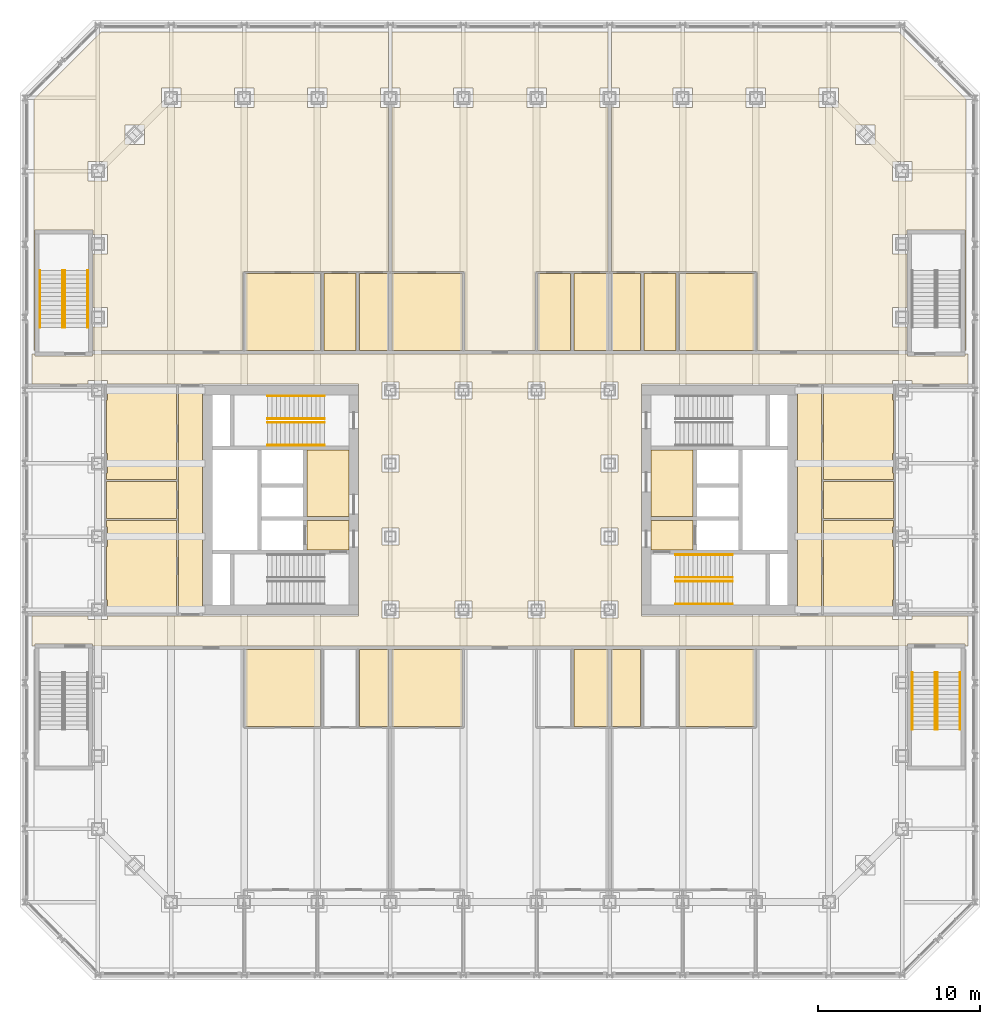
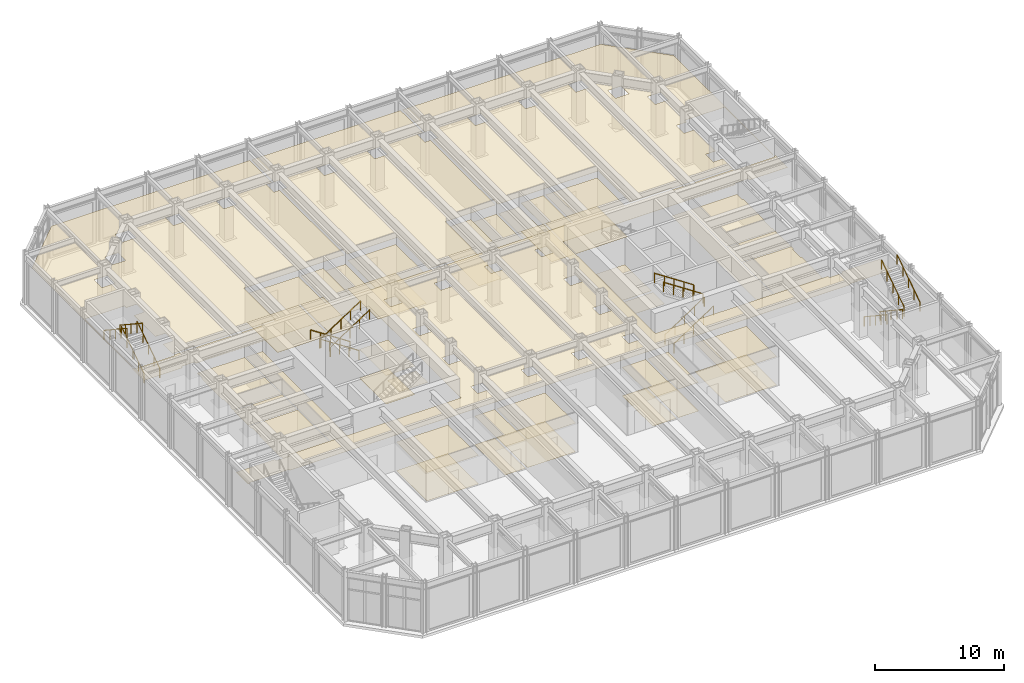
# One storey, part 18 of 19: 16 railings, 5 coverings.
"""IFC4 building model written with IfcOpenShell, lengths in metres."""

from ifc_helpers import new_model, si_unit, direction, frame, origin, origin_2d, place, context, subcontext, project, spatial, line, indexed_curve, circle, outline, extrude, material, layer, layer_set, type_object, element, save


model = new_model("IFC4")

# Units and contexts
model_context = context("Model", 3, precision=1e-05, world=origin(), true_north=direction((0.0, 1.0)))
body_context = subcontext(model_context, "Body", "Model", "MODEL_VIEW")
ifc_project = project(units=[si_unit("LENGTHUNIT", "METRE"), si_unit("AREAUNIT", "SQUARE_METRE"), si_unit("VOLUMEUNIT", "CUBIC_METRE"), si_unit("PLANEANGLEUNIT", "RADIAN"), si_unit("MASSUNIT", "GRAM", prefix="KILO")], contexts=[model_context])

# Site, building, storey
site_placement = place(None, origin())
site = spatial("IfcSite", under=ifc_project, at=site_placement, CompositionType="ELEMENT")
building_placement = place(site_placement, origin())
building = spatial("IfcBuilding", under=site, at=building_placement, Name="Msasa Ring Tower", CompositionType="ELEMENT")
storey_placement = place(building_placement, frame((0.0, 0.0, 6.0)))
storey = spatial("IfcBuildingStorey", under=building, at=storey_placement, Name="L01", CompositionType="ELEMENT", Elevation=6.0)

# Coverings
ifc_material_1 = material(Name="Gypsum plasterboard on a steel suspension grid", Category="steel")
ifc_layer_1 = layer(ifc_material_1, 0.014892578125)
ifc_layer_set_1 = layer_set([ifc_layer_1], Name="C1 SUSPENDED PLASTERBOARD CEILING 15")
covering_type_1 = type_object("IfcCoveringType", Name="C1 SUSPENDED PLASTERBOARD CEILING 15", PredefinedType="CEILING", material=ifc_layer_set_1)
covering_1_placement = place(storey_placement, frame((0.0, 0.0, 2.39990234375)))
element("IfcCovering", 1, at=covering_1_placement, inside=storey, type_object=covering_type_1, Name="Suspended Plasterboard Ceiling 15 circulation L01", PredefinedType="CEILING", context=body_context, shape_type="SweptSolid", body=[
    extrude(outline(indexed_curve([(-9.300537109375, -1.275390625), (-9.300537109375, -3.074462890625), (-11.87451171875, -3.074462890625), (-11.87451171875, -1.275390625)], segments=[line(1, 2, 3, 4, 1)], self_intersect=False)), origin(), (0.0, 0.0, 1.0), 0.01513671875),
    extrude(outline(indexed_curve([(11.87451171875, -3.074462890625), (9.300537109375, -3.074462890625), (9.300537109375, -1.275390625), (11.87451171875, -1.275390625)], segments=[line(1, 2, 3, 4, 1)], self_intersect=False)), origin(), (0.0, 0.0, 1.0), 0.01513671875),
    extrude(outline(indexed_curve([(11.87451171875, -1.0244140625), (9.300537109375, -1.0244140625), (9.300537109375, 3.074462890625), (11.87451171875, 3.074462890625)], segments=[line(1, 2, 3, 4, 1)], self_intersect=False)), origin(), (0.0, 0.0, 1.0), 0.01513671875),
])
covering_2_placement = place(storey_placement, frame((0.0, 0.0, 3.199951171875)))
element("IfcCovering", 2, at=covering_2_placement, inside=storey, type_object=covering_type_1, Name="Suspended Plasterboard Ceiling 15 public rooms L01", PredefinedType="CEILING", context=body_context, shape_type="SweptSolid", body=[
    extrude(outline(indexed_curve([(-8.699462890625, 7.150390625), (-24.1494140625, 7.150390625), (-24.1494140625, 7.3505859375), (-25.3505859375, 7.3505859375), (-25.3505859375, 7.150390625), (-28.799560546875, 7.150390625), (-28.799560546875, 8.99951171875), (-28.625, 8.99951171875), (-28.625, 8.87451171875), (-25.074951171875, 8.87451171875), (-25.074951171875, 8.99951171875), (25.074951171875, 8.99951171875), (25.074951171875, 8.87451171875), (28.625, 8.87451171875), (28.625, 8.99951171875), (28.799560546875, 8.99951171875), (28.799560546875, 7.150390625), (25.3505859375, 7.150390625), (25.3505859375, 7.3505859375), (24.1494140625, 7.3505859375), (24.1494140625, 7.150390625), (8.699462890625, 7.150390625), (8.699462890625, -7.150390625), (24.1494140625, -7.150390625), (24.1494140625, -7.3505859375), (25.3505859375, -7.3505859375), (25.3505859375, -7.150390625), (28.799560546875, -7.150390625), (28.799560546875, -8.99951171875), (28.625, -8.99951171875), (28.625, -8.87451171875), (25.074951171875, -8.87451171875), (25.074951171875, -8.99951171875), (-25.074951171875, -8.99951171875), (-25.074951171875, -8.87451171875), (-28.625, -8.87451171875), (-28.625, -8.99951171875), (-28.799560546875, -8.99951171875), (-28.799560546875, -7.150390625), (-25.3505859375, -7.150390625), (-25.3505859375, -7.3505859375), (-24.1494140625, -7.3505859375), (-24.1494140625, -7.150390625), (-8.699462890625, -7.150390625)], segments=[line(1, 2, 3, 4, 5, 6, 7, 8, 9, 10, 11, 12, 13, 14, 15, 16, 17, 18, 19, 20, 21, 22, 23, 24, 25, 26, 27, 28, 29, 30, 31, 32, 33, 34, 35, 36, 37, 38, 39, 40, 41, 42, 43, 44, 1)], self_intersect=False), holes=[indexed_curve([(-7.275390625, -7.275390625), (-6.224609375, -7.275390625), (-6.224609375, -6.224609375), (-7.275390625, -6.224609375)], segments=[line(1, 2, 3, 4, 1)], self_intersect=False), indexed_curve([(-7.275390625, 1.724609375), (-6.224609375, 1.724609375), (-6.224609375, 2.775390625), (-7.275390625, 2.775390625)], segments=[line(1, 2, 3, 4, 1)], self_intersect=False), indexed_curve([(-7.275390625, 6.224609375), (-6.224609375, 6.224609375), (-6.224609375, 7.275390625), (-7.275390625, 7.275390625)], segments=[line(1, 2, 3, 4, 1)], self_intersect=False), indexed_curve([(-1.724609375, -7.275390625), (-1.724609375, -6.224609375), (-2.775390625, -6.224609375), (-2.775390625, -7.275390625)], segments=[line(1, 2, 3, 4, 1)], self_intersect=False), indexed_curve([(1.724609375, -7.275390625), (2.775390625, -7.275390625), (2.775390625, -6.224609375), (1.724609375, -6.224609375)], segments=[line(1, 2, 3, 4, 1)], self_intersect=False), indexed_curve([(-7.275390625, -2.775390625), (-6.224609375, -2.775390625), (-6.224609375, -1.724609375), (-7.275390625, -1.724609375)], segments=[line(1, 2, 3, 4, 1)], self_intersect=False), indexed_curve([(7.275390625, -2.775390625), (7.275390625, -1.724609375), (6.224609375, -1.724609375), (6.224609375, -2.775390625)], segments=[line(1, 2, 3, 4, 1)], self_intersect=False), indexed_curve([(6.224609375, 1.724609375), (7.275390625, 1.724609375), (7.275390625, 2.775390625), (6.224609375, 2.775390625)], segments=[line(1, 2, 3, 4, 1)], self_intersect=False), indexed_curve([(-2.775390625, 6.224609375), (-1.724609375, 6.224609375), (-1.724609375, 7.275390625), (-2.775390625, 7.275390625)], segments=[line(1, 2, 3, 4, 1)], self_intersect=False), indexed_curve([(2.775390625, 6.224609375), (2.775390625, 7.275390625), (1.724609375, 7.275390625), (1.724609375, 6.224609375)], segments=[line(1, 2, 3, 4, 1)], self_intersect=False), indexed_curve([(7.275390625, 6.224609375), (7.275390625, 7.275390625), (6.224609375, 7.275390625), (6.224609375, 6.224609375)], segments=[line(1, 2, 3, 4, 1)], self_intersect=False), indexed_curve([(7.275390625, -7.275390625), (7.275390625, -6.224609375), (6.224609375, -6.224609375), (6.224609375, -7.275390625)], segments=[line(1, 2, 3, 4, 1)], self_intersect=False)]), origin(), (0.0, 0.0, 1.0), 0.01513671875),
    extrude(outline(indexed_curve([(-25.069580078125, 9.200439453125), (-25.069580078125, 10.6494140625), (-24.1494140625, 10.6494140625), (-24.1494140625, 11.8505859375), (-25.069580078125, 11.8505859375), (-25.069580078125, 15.1494140625), (-24.1494140625, 15.1494140625), (-24.1494140625, 16.3505859375), (-25.069580078125, 16.3505859375), (-25.069580078125, 16.630615234375), (-28.630615234375, 16.630615234375), (-28.630615234375, 9.200439453125), (-28.699462890625, 9.200439453125), (-28.699462890625, 24.663330078125), (-24.5634765625, 28.799560546875), (-6.8505859375, 28.799560546875), (-6.8505859375, 25.3505859375), (-7.3505859375, 25.3505859375), (-7.3505859375, 24.1494140625), (-6.8505859375, 24.1494140625), (-6.8505859375, 14.060546875), (-15.8505859375, 14.060546875), (-15.8505859375, 9.200439453125)], segments=[line(1, 2, 3, 4, 5, 6, 7, 8, 9, 10, 11, 12, 13, 14, 15, 16, 17, 18, 19, 20, 21, 22, 23, 1)], self_intersect=False), holes=[indexed_curve([(-24.1494140625, 19.6494140625), (-24.1494140625, 20.8505859375), (-25.3505859375, 20.8505859375), (-25.3505859375, 19.6494140625)], segments=[line(1, 2, 3, 4, 1)], self_intersect=False), indexed_curve([(-23.1005859375, 21.8994140625), (-21.8994140625, 21.8994140625), (-21.8994140625, 23.1005859375), (-23.1005859375, 23.1005859375)], segments=[line(1, 2, 3, 4, 1)], self_intersect=False), indexed_curve([(-20.8505859375, 24.1494140625), (-19.6494140625, 24.1494140625), (-19.6494140625, 25.3505859375), (-20.8505859375, 25.3505859375)], segments=[line(1, 2, 3, 4, 1)], self_intersect=False), indexed_curve([(-15.1494140625, 24.1494140625), (-15.1494140625, 25.3505859375), (-16.3505859375, 25.3505859375), (-16.3505859375, 24.1494140625)], segments=[line(1, 2, 3, 4, 1)], self_intersect=False), indexed_curve([(-11.8505859375, 24.1494140625), (-10.6494140625, 24.1494140625), (-10.6494140625, 25.3505859375), (-11.8505859375, 25.3505859375)], segments=[line(1, 2, 3, 4, 1)], self_intersect=False)]), origin(), (0.0, 0.0, 1.0), 0.01513671875),
    extrude(outline(indexed_curve([(-2.1494140625, 9.200439453125), (-2.1494140625, 14.060546875), (-6.6494140625, 14.060546875), (-6.6494140625, 24.1494140625), (-6.1494140625, 24.1494140625), (-6.1494140625, 25.3505859375), (-6.6494140625, 25.3505859375), (-6.6494140625, 28.799560546875), (6.6494140625, 28.799560546875), (6.6494140625, 25.3505859375), (6.1494140625, 25.3505859375), (6.1494140625, 24.1494140625), (6.6494140625, 24.1494140625), (6.6494140625, 14.060546875), (2.1494140625, 14.060546875), (2.1494140625, 9.200439453125)], segments=[line(1, 2, 3, 4, 5, 6, 7, 8, 9, 10, 11, 12, 13, 14, 15, 16, 1)], self_intersect=False), holes=[indexed_curve([(-2.8505859375, 24.1494140625), (-1.6494140625, 24.1494140625), (-1.6494140625, 25.3505859375), (-2.8505859375, 25.3505859375)], segments=[line(1, 2, 3, 4, 1)], self_intersect=False), indexed_curve([(1.6494140625, 24.1494140625), (2.8505859375, 24.1494140625), (2.8505859375, 25.3505859375), (1.6494140625, 25.3505859375)], segments=[line(1, 2, 3, 4, 1)], self_intersect=False)]), origin(), (0.0, 0.0, 1.0), 0.01513671875),
    extrude(outline(indexed_curve([(25.069580078125, 16.630615234375), (25.069580078125, 16.3505859375), (24.1494140625, 16.3505859375), (24.1494140625, 15.1494140625), (25.069580078125, 15.1494140625), (25.069580078125, 11.8505859375), (24.1494140625, 11.8505859375), (24.1494140625, 10.6494140625), (25.069580078125, 10.6494140625), (25.069580078125, 9.200439453125), (15.8505859375, 9.200439453125), (15.8505859375, 14.060546875), (6.8505859375, 14.060546875), (6.8505859375, 24.1494140625), (7.3505859375, 24.1494140625), (7.3505859375, 25.3505859375), (6.8505859375, 25.3505859375), (6.8505859375, 28.799560546875), (24.5634765625, 28.799560546875), (28.699462890625, 24.663330078125), (28.699462890625, 9.200439453125), (28.630615234375, 9.200439453125), (28.630615234375, 16.630615234375)], segments=[line(1, 2, 3, 4, 5, 6, 7, 8, 9, 10, 11, 12, 13, 14, 15, 16, 17, 18, 19, 20, 21, 22, 23, 1)], self_intersect=False), holes=[indexed_curve([(24.1494140625, 19.6494140625), (25.3505859375, 19.6494140625), (25.3505859375, 20.8505859375), (24.1494140625, 20.8505859375)], segments=[line(1, 2, 3, 4, 1)], self_intersect=False), indexed_curve([(21.8994140625, 21.8994140625), (23.1005859375, 21.8994140625), (23.1005859375, 23.1005859375), (21.8994140625, 23.1005859375)], segments=[line(1, 2, 3, 4, 1)], self_intersect=False), indexed_curve([(11.8505859375, 24.1494140625), (11.8505859375, 25.3505859375), (10.6494140625, 25.3505859375), (10.6494140625, 24.1494140625)], segments=[line(1, 2, 3, 4, 1)], self_intersect=False), indexed_curve([(15.1494140625, 24.1494140625), (16.3505859375, 24.1494140625), (16.3505859375, 25.3505859375), (15.1494140625, 25.3505859375)], segments=[line(1, 2, 3, 4, 1)], self_intersect=False), indexed_curve([(19.6494140625, 24.1494140625), (20.8505859375, 24.1494140625), (20.8505859375, 25.3505859375), (19.6494140625, 25.3505859375)], segments=[line(1, 2, 3, 4, 1)], self_intersect=False)]), origin(), (0.0, 0.0, 1.0), 0.01513671875),
])
covering_3_placement = place(storey_placement, frame((0.0, 0.0, 2.699951171875)))
element("IfcCovering", 3, at=covering_3_placement, inside=storey, type_object=covering_type_1, Name="Suspended Plasterboard Ceiling 15 L01", PredefinedType="CEILING", context=body_context, shape_type="SweptSolid", body=[
    extrude(outline(indexed_curve([(-15.6494140625, -13.939453125), (-15.6494140625, -9.200439453125), (-11.050537109375, -9.200439453125), (-11.050537109375, -13.939453125)], segments=[line(1, 2, 3, 4, 1)], self_intersect=False)), origin(), (0.0, 0.0, 1.0), 0.01513671875),
    extrude(outline(indexed_curve([(-15.6494140625, 13.939453125), (-11.050537109375, 13.939453125), (-11.050537109375, 9.200439453125), (-15.6494140625, 9.200439453125)], segments=[line(1, 2, 3, 4, 1)], self_intersect=False)), origin(), (0.0, 0.0, 1.0), 0.01513671875),
    extrude(outline(indexed_curve([(-11.87451171875, -1.0244140625), (-11.87451171875, 3.074462890625), (-9.300537109375, 3.074462890625), (-9.300537109375, -1.0244140625)], segments=[line(1, 2, 3, 4, 1)], self_intersect=False)), origin(), (0.0, 0.0, 1.0), 0.01513671875),
    extrude(outline(indexed_curve([(-10.849609375, 13.939453125), (-8.8505859375, 13.939453125), (-8.8505859375, 9.200439453125), (-10.849609375, 9.200439453125)], segments=[line(1, 2, 3, 4, 1)], self_intersect=False)), origin(), (0.0, 0.0, 1.0), 0.01513671875),
    extrude(outline(indexed_curve([(-8.6494140625, -9.200439453125), (-6.8505859375, -9.200439453125), (-6.8505859375, -13.939453125), (-8.6494140625, -13.939453125)], segments=[line(1, 2, 3, 4, 1)], self_intersect=False)), origin(), (0.0, 0.0, 1.0), 0.01513671875),
    extrude(outline(indexed_curve([(-2.3505859375, -9.200439453125), (-2.3505859375, -13.939453125), (-6.6494140625, -13.939453125), (-6.6494140625, -9.200439453125)], segments=[line(1, 2, 3, 4, 1)], self_intersect=False)), origin(), (0.0, 0.0, 1.0), 0.01513671875),
    extrude(outline(indexed_curve([(-6.6494140625, 9.200439453125), (-6.6494140625, 13.939453125), (-2.3505859375, 13.939453125), (-2.3505859375, 9.200439453125)], segments=[line(1, 2, 3, 4, 1)], self_intersect=False)), origin(), (0.0, 0.0, 1.0), 0.01513671875),
    extrude(outline(indexed_curve([(2.3505859375, 13.939453125), (4.349609375, 13.939453125), (4.349609375, 9.200439453125), (2.3505859375, 9.200439453125)], segments=[line(1, 2, 3, 4, 1)], self_intersect=False)), origin(), (0.0, 0.0, 1.0), 0.01513671875),
    extrude(outline(indexed_curve([(4.550537109375, -9.200439453125), (6.6494140625, -9.200439453125), (6.6494140625, -13.939453125), (4.550537109375, -13.939453125)], segments=[line(1, 2, 3, 4, 1)], self_intersect=False)), origin(), (0.0, 0.0, 1.0), 0.01513671875),
    extrude(outline(indexed_curve([(8.6494140625, -9.200439453125), (8.6494140625, -13.939453125), (6.8505859375, -13.939453125), (6.8505859375, -9.200439453125)], segments=[line(1, 2, 3, 4, 1)], self_intersect=False)), origin(), (0.0, 0.0, 1.0), 0.01513671875),
    extrude(outline(indexed_curve([(8.8505859375, 13.939453125), (10.849609375, 13.939453125), (10.849609375, 9.200439453125), (8.8505859375, 9.200439453125)], segments=[line(1, 2, 3, 4, 1)], self_intersect=False)), origin(), (0.0, 0.0, 1.0), 0.01513671875),
    extrude(outline(indexed_curve([(11.050537109375, -9.200439453125), (15.6494140625, -9.200439453125), (15.6494140625, -13.939453125), (11.050537109375, -13.939453125)], segments=[line(1, 2, 3, 4, 1)], self_intersect=False)), origin(), (0.0, 0.0, 1.0), 0.01513671875),
    extrude(outline(indexed_curve([(11.050537109375, 13.939453125), (15.6494140625, 13.939453125), (15.6494140625, 9.200439453125), (11.050537109375, 9.200439453125)], segments=[line(1, 2, 3, 4, 1)], self_intersect=False)), origin(), (0.0, 0.0, 1.0), 0.01513671875),
])
ifc_material_2 = material(Name="Moisture-resistant gypsum plasterboard on a steel suspension grid", Category="steel")
ifc_layer_2 = layer(ifc_material_2, 0.014892578125)
ifc_layer_set_2 = layer_set([ifc_layer_2], Name="C2 MOISTURE-RESISTANT PLASTERBOARD CEILING 15")
covering_type_2 = type_object("IfcCoveringType", Name="C2 MOISTURE-RESISTANT PLASTERBOARD CEILING 15", PredefinedType="CEILING", material=ifc_layer_set_2)
covering_4_placement = place(storey_placement, frame((0.0, 0.0, 2.39990234375)))
element("IfcCovering", 4, at=covering_4_placement, inside=storey, type_object=covering_type_2, Name="Moisture-Resistant Plasterboard Ceiling 15 L01", PredefinedType="CEILING", context=body_context, shape_type="SweptSolid", body=[
    extrude(outline(indexed_curve([(-24.239501953125, -2.8505859375), (-24.1494140625, -2.8505859375), (-24.1494140625, -1.6494140625), (-24.239501953125, -1.6494140625), (-24.239501953125, -1.255615234375), (-19.905517578125, -1.255615234375), (-19.905517578125, -6.949462890625), (-24.1494140625, -6.949462890625), (-24.1494140625, -6.1494140625), (-24.239501953125, -6.1494140625)], segments=[line(1, 2, 3, 4, 5, 6, 7, 8, 9, 10, 1)], self_intersect=False)), origin(), (0.0, 0.0, 1.0), 0.01513671875),
    extrude(outline(indexed_curve([(-24.239501953125, -1.14453125), (-24.239501953125, 1.14453125), (-19.905517578125, 1.14453125), (-19.905517578125, -1.14453125)], segments=[line(1, 2, 3, 4, 1)], self_intersect=False)), origin(), (0.0, 0.0, 1.0), 0.01513671875),
    extrude(outline(indexed_curve([(-24.239501953125, 1.6494140625), (-24.1494140625, 1.6494140625), (-24.1494140625, 2.8505859375), (-24.239501953125, 2.8505859375), (-24.239501953125, 6.1494140625), (-24.1494140625, 6.1494140625), (-24.1494140625, 6.949462890625), (-19.905517578125, 6.949462890625), (-19.905517578125, 1.255615234375), (-24.239501953125, 1.255615234375)], segments=[line(1, 2, 3, 4, 5, 6, 7, 8, 9, 10, 1)], self_intersect=False)), origin(), (0.0, 0.0, 1.0), 0.01513671875),
    extrude(outline(indexed_curve([(-19.79443359375, 6.949462890625), (-18.300537109375, 6.949462890625), (-18.300537109375, -6.949462890625), (-19.79443359375, -6.949462890625)], segments=[line(1, 2, 3, 4, 1)], self_intersect=False)), origin(), (0.0, 0.0, 1.0), 0.01513671875),
    extrude(outline(indexed_curve([(-8.6494140625, 13.939453125), (-6.8505859375, 13.939453125), (-6.8505859375, 9.200439453125), (-8.6494140625, 9.200439453125)], segments=[line(1, 2, 3, 4, 1)], self_intersect=False)), origin(), (0.0, 0.0, 1.0), 0.01513671875),
    extrude(outline(indexed_curve([(4.550537109375, 9.200439453125), (4.550537109375, 13.939453125), (6.6494140625, 13.939453125), (6.6494140625, 9.200439453125)], segments=[line(1, 2, 3, 4, 1)], self_intersect=False)), origin(), (0.0, 0.0, 1.0), 0.01513671875),
    extrude(outline(indexed_curve([(8.6494140625, 13.939453125), (8.6494140625, 9.200439453125), (6.8505859375, 9.200439453125), (6.8505859375, 13.939453125)], segments=[line(1, 2, 3, 4, 1)], self_intersect=False)), origin(), (0.0, 0.0, 1.0), 0.01513671875),
    extrude(outline(indexed_curve([(18.300537109375, -6.949462890625), (18.300537109375, 6.949462890625), (19.79443359375, 6.949462890625), (19.79443359375, -6.949462890625)], segments=[line(1, 2, 3, 4, 1)], self_intersect=False)), origin(), (0.0, 0.0, 1.0), 0.01513671875),
    extrude(outline(indexed_curve([(19.905517578125, -1.255615234375), (24.239501953125, -1.255615234375), (24.239501953125, -1.6494140625), (24.1494140625, -1.6494140625), (24.1494140625, -2.8505859375), (24.239501953125, -2.8505859375), (24.239501953125, -6.1494140625), (24.1494140625, -6.1494140625), (24.1494140625, -6.949462890625), (19.905517578125, -6.949462890625)], segments=[line(1, 2, 3, 4, 5, 6, 7, 8, 9, 10, 1)], self_intersect=False)), origin(), (0.0, 0.0, 1.0), 0.01513671875),
    extrude(outline(indexed_curve([(19.905517578125, -1.14453125), (19.905517578125, 1.14453125), (24.239501953125, 1.14453125), (24.239501953125, -1.14453125)], segments=[line(1, 2, 3, 4, 1)], self_intersect=False)), origin(), (0.0, 0.0, 1.0), 0.01513671875),
    extrude(outline(indexed_curve([(19.905517578125, 6.949462890625), (24.1494140625, 6.949462890625), (24.1494140625, 6.1494140625), (24.239501953125, 6.1494140625), (24.239501953125, 2.8505859375), (24.1494140625, 2.8505859375), (24.1494140625, 1.6494140625), (24.239501953125, 1.6494140625), (24.239501953125, 1.255615234375), (19.905517578125, 1.255615234375)], segments=[line(1, 2, 3, 4, 5, 6, 7, 8, 9, 10, 1)], self_intersect=False)), origin(), (0.0, 0.0, 1.0), 0.01513671875),
])
ifc_material_3 = material(Name="Wool-blend carpet on felt underlay", Category="textile")
ifc_layer_3 = layer(ifc_material_3, 0.011962890625)
ifc_layer_set_3 = layer_set([ifc_layer_3], Name="F2 CARPET ON UNDERLAY 12")
covering_type_3 = type_object("IfcCoveringType", Name="F2 CARPET ON UNDERLAY 12", PredefinedType="FLOORING", material=ifc_layer_set_3)
covering_5_placement = place(storey_placement, origin())
element("IfcCovering", 5, at=covering_5_placement, inside=storey, type_object=covering_type_3, Name="Carpet On Underlay 12 L01", PredefinedType="FLOORING", context=body_context, shape_type="SweptSolid", body=[
    extrude(outline(indexed_curve([(-15.6494140625, -9.200439453125), (-11.050537109375, -9.200439453125), (-11.050537109375, -13.939453125), (-15.6494140625, -13.939453125)], segments=[line(1, 2, 3, 4, 1)], self_intersect=False)), origin(), (0.0, 0.0, 1.0), 0.011962890625),
    extrude(outline(indexed_curve([(-11.050537109375, 13.939453125), (-11.050537109375, 9.200439453125), (-15.6494140625, 9.200439453125), (-15.6494140625, 13.939453125)], segments=[line(1, 2, 3, 4, 1)], self_intersect=False)), origin(), (0.0, 0.0, 1.0), 0.011962890625),
    extrude(outline(indexed_curve([(-11.87451171875, 3.074462890625), (-9.300537109375, 3.074462890625), (-9.300537109375, -1.0244140625), (-11.87451171875, -1.0244140625)], segments=[line(1, 2, 3, 4, 1)], self_intersect=False)), origin(), (0.0, 0.0, 1.0), 0.011962890625),
    extrude(outline(indexed_curve([(-8.8505859375, 13.939453125), (-8.8505859375, 9.200439453125), (-10.849609375, 9.200439453125), (-10.849609375, 13.939453125)], segments=[line(1, 2, 3, 4, 1)], self_intersect=False)), origin(), (0.0, 0.0, 1.0), 0.011962890625),
    extrude(outline(indexed_curve([(-6.8505859375, -9.200439453125), (-6.8505859375, -13.939453125), (-8.6494140625, -13.939453125), (-8.6494140625, -9.200439453125)], segments=[line(1, 2, 3, 4, 1)], self_intersect=False)), origin(), (0.0, 0.0, 1.0), 0.011962890625),
    extrude(outline(indexed_curve([(-2.3505859375, -9.200439453125), (-2.3505859375, -13.939453125), (-6.6494140625, -13.939453125), (-6.6494140625, -9.200439453125)], segments=[line(1, 2, 3, 4, 1)], self_intersect=False)), origin(), (0.0, 0.0, 1.0), 0.011962890625),
    extrude(outline(indexed_curve([(-2.3505859375, 13.939453125), (-2.3505859375, 9.200439453125), (-6.6494140625, 9.200439453125), (-6.6494140625, 13.939453125)], segments=[line(1, 2, 3, 4, 1)], self_intersect=False)), origin(), (0.0, 0.0, 1.0), 0.011962890625),
    extrude(outline(indexed_curve([(4.349609375, 13.939453125), (4.349609375, 9.200439453125), (2.3505859375, 9.200439453125), (2.3505859375, 13.939453125)], segments=[line(1, 2, 3, 4, 1)], self_intersect=False)), origin(), (0.0, 0.0, 1.0), 0.011962890625),
    extrude(outline(indexed_curve([(6.6494140625, -9.200439453125), (6.6494140625, -13.939453125), (4.550537109375, -13.939453125), (4.550537109375, -9.200439453125)], segments=[line(1, 2, 3, 4, 1)], self_intersect=False)), origin(), (0.0, 0.0, 1.0), 0.011962890625),
    extrude(outline(indexed_curve([(8.6494140625, -9.200439453125), (8.6494140625, -13.939453125), (6.8505859375, -13.939453125), (6.8505859375, -9.200439453125)], segments=[line(1, 2, 3, 4, 1)], self_intersect=False)), origin(), (0.0, 0.0, 1.0), 0.011962890625),
    extrude(outline(indexed_curve([(10.849609375, 13.939453125), (10.849609375, 9.200439453125), (8.8505859375, 9.200439453125), (8.8505859375, 13.939453125)], segments=[line(1, 2, 3, 4, 1)], self_intersect=False)), origin(), (0.0, 0.0, 1.0), 0.011962890625),
    extrude(outline(indexed_curve([(15.6494140625, -9.200439453125), (15.6494140625, -13.939453125), (11.050537109375, -13.939453125), (11.050537109375, -9.200439453125)], segments=[line(1, 2, 3, 4, 1)], self_intersect=False)), origin(), (0.0, 0.0, 1.0), 0.011962890625),
    extrude(outline(indexed_curve([(15.6494140625, 13.939453125), (15.6494140625, 9.200439453125), (11.050537109375, 9.200439453125), (11.050537109375, 13.939453125)], segments=[line(1, 2, 3, 4, 1)], self_intersect=False)), origin(), (0.0, 0.0, 1.0), 0.011962890625),
])

# Railings
ifc_material_4 = material(Name="Stainless steel", Category="steel")
railing_type = type_object("IfcRailingType", Name="HR1 HANDRAIL 900", PredefinedType="HANDRAIL", material=ifc_material_4)
for number, where, name in (
    (6, (10.800048828125, -6.39990234375, 0.178466796875), "Handrail stair SEA L01 1"),
    (7, (10.800048828125, -5.0, 0.178466796875), "Handrail stair SEA L01 2"),
):
    element("IfcRailing", number, at=place(storey_placement, frame(where)), inside=storey, type_object=railing_type, Name=name, PredefinedType="HANDRAIL", context=body_context, shape_type="SweptSolid", body=[
        extrude(circle(Radius=0.02392578125, at=origin_2d()), frame((0.0, 0.0, 0.8759765625), z_axis=(0.834070780157, 0.0, 0.551657442339), x_axis=(0.0, 1.0, 0.0)), (0.0, 0.0, 1.0), 4.208251953125),
        extrude(circle(Radius=0.02099609375, at=origin_2d()), origin(), (0.0, 0.0, 1.0), 0.851806640625),
        extrude(circle(Radius=0.02099609375, at=origin_2d()), frame((0.87744140625, 0.0, 0.580322265625)), (0.0, 0.0, 1.0), 0.851806640625),
        extrude(circle(Radius=0.02099609375, at=origin_2d()), frame((1.7548828125, 0.0, 1.16064453125)), (0.0, 0.0, 1.0), 0.851806640625),
        extrude(circle(Radius=0.02099609375, at=origin_2d()), frame((2.632568359375, 0.0, 1.7412109375)), (0.0, 0.0, 1.0), 0.851806640625),
        extrude(circle(Radius=0.02099609375, at=origin_2d()), frame((3.510009765625, 0.0, 2.321533203125)), (0.0, 0.0, 1.0), 0.851806640625),
    ])
for number, where, name in (
    (8, (14.31005859375, -4.77490234375, 2.678466796875), "Handrail stair SEA L01 3"),
    (9, (14.31005859375, -3.375, 2.678466796875), "Handrail stair SEA L01 4"),
    (10, (-10.800048828125, 5.0, 0.178466796875), "Handrail stair SWB L01 1"),
    (11, (-10.800048828125, 6.39990234375, 0.178466796875), "Handrail stair SWB L01 2"),
):
    element("IfcRailing", number, at=place(storey_placement, frame(where)), inside=storey, type_object=railing_type, Name=name, PredefinedType="HANDRAIL", context=body_context, shape_type="SweptSolid", body=[
        extrude(circle(Radius=0.02392578125, at=origin_2d()), frame((0.0, 0.0, 0.8759765625), z_axis=(-0.834070780157, 0.0, 0.551657442339), x_axis=(0.0, -1.0, 0.0)), (0.0, 0.0, 1.0), 4.208251953125),
        extrude(circle(Radius=0.02099609375, at=origin_2d()), origin(), (0.0, 0.0, 1.0), 0.851806640625),
        extrude(circle(Radius=0.02099609375, at=origin_2d()), frame((-0.87744140625, 0.0, 0.580322265625)), (0.0, 0.0, 1.0), 0.851806640625),
        extrude(circle(Radius=0.02099609375, at=origin_2d()), frame((-1.7548828125, 0.0, 1.16064453125)), (0.0, 0.0, 1.0), 0.851806640625),
        extrude(circle(Radius=0.02099609375, at=origin_2d()), frame((-2.632568359375, 0.0, 1.7412109375)), (0.0, 0.0, 1.0), 0.851806640625),
        extrude(circle(Radius=0.02099609375, at=origin_2d()), frame((-3.510009765625, 0.0, 2.321533203125)), (0.0, 0.0, 1.0), 0.851806640625),
    ])
for number, where, name in (
    (12, (-14.31005859375, 3.375, 2.678466796875), "Handrail stair SWB L01 3"),
    (13, (-14.31005859375, 4.77490234375, 2.678466796875), "Handrail stair SWB L01 4"),
):
    element("IfcRailing", number, at=place(storey_placement, frame(where)), inside=storey, type_object=railing_type, Name=name, PredefinedType="HANDRAIL", context=body_context, shape_type="SweptSolid", body=[
        extrude(circle(Radius=0.02392578125, at=origin_2d()), frame((0.0, 0.0, 0.8759765625), z_axis=(0.834070780157, 0.0, 0.551657442339), x_axis=(0.0, 1.0, 0.0)), (0.0, 0.0, 1.0), 4.208251953125),
        extrude(circle(Radius=0.02099609375, at=origin_2d()), origin(), (0.0, 0.0, 1.0), 0.851806640625),
        extrude(circle(Radius=0.02099609375, at=origin_2d()), frame((0.87744140625, 0.0, 0.580322265625)), (0.0, 0.0, 1.0), 0.851806640625),
        extrude(circle(Radius=0.02099609375, at=origin_2d()), frame((1.7548828125, 0.0, 1.16064453125)), (0.0, 0.0, 1.0), 0.851806640625),
        extrude(circle(Radius=0.02099609375, at=origin_2d()), frame((2.632568359375, 0.0, 1.7412109375)), (0.0, 0.0, 1.0), 0.851806640625),
        extrude(circle(Radius=0.02099609375, at=origin_2d()), frame((3.510009765625, 0.0, 2.321533203125)), (0.0, 0.0, 1.0), 0.851806640625),
    ])
for number, where, name in (
    (14, (25.375, -10.625, 0.178466796875), "Handrail podium stair PES L01 1"),
    (15, (26.77490234375, -10.625, 0.178466796875), "Handrail podium stair PES L01 2"),
):
    element("IfcRailing", number, at=place(storey_placement, frame(where)), inside=storey, type_object=railing_type, Name=name, PredefinedType="HANDRAIL", context=body_context, shape_type="SweptSolid", body=[
        extrude(circle(Radius=0.02392578125, at=origin_2d()), frame((0.0, 0.0, 0.8759765625), z_axis=(0.0, -0.834070780157, 0.551657442339), x_axis=(1.0, 0.0, 0.0)), (0.0, 0.0, 1.0), 4.208251953125),
        extrude(circle(Radius=0.02099609375, at=origin_2d()), origin(), (0.0, 0.0, 1.0), 0.851806640625),
        extrude(circle(Radius=0.02099609375, at=origin_2d()), frame((0.0, -0.87744140625, 0.580322265625)), (0.0, 0.0, 1.0), 0.851806640625),
        extrude(circle(Radius=0.02099609375, at=origin_2d()), frame((0.0, -1.7548828125, 1.16064453125)), (0.0, 0.0, 1.0), 0.851806640625),
        extrude(circle(Radius=0.02099609375, at=origin_2d()), frame((0.0, -2.632568359375, 1.7412109375)), (0.0, 0.0, 1.0), 0.851806640625),
        extrude(circle(Radius=0.02099609375, at=origin_2d()), frame((0.0, -3.510009765625, 2.321533203125)), (0.0, 0.0, 1.0), 0.851806640625),
    ])
for number, where, name in (
    (16, (26.925048828125, -14.135009765625, 2.678466796875), "Handrail podium stair PES L01 3"),
    (17, (28.324951171875, -14.135009765625, 2.678466796875), "Handrail podium stair PES L01 4"),
    (18, (-26.77490234375, 10.625, 0.178466796875), "Handrail podium stair PWN L01 1"),
    (19, (-25.375, 10.625, 0.178466796875), "Handrail podium stair PWN L01 2"),
):
    element("IfcRailing", number, at=place(storey_placement, frame(where)), inside=storey, type_object=railing_type, Name=name, PredefinedType="HANDRAIL", context=body_context, shape_type="SweptSolid", body=[
        extrude(circle(Radius=0.02392578125, at=origin_2d()), frame((0.0, 0.0, 0.8759765625), z_axis=(0.0, 0.834070780157, 0.551657442339), x_axis=(-1.0, 0.0, 0.0)), (0.0, 0.0, 1.0), 4.208251953125),
        extrude(circle(Radius=0.02099609375, at=origin_2d()), origin(), (0.0, 0.0, 1.0), 0.851806640625),
        extrude(circle(Radius=0.02099609375, at=origin_2d()), frame((0.0, 0.87744140625, 0.580322265625)), (0.0, 0.0, 1.0), 0.851806640625),
        extrude(circle(Radius=0.02099609375, at=origin_2d()), frame((0.0, 1.7548828125, 1.16064453125)), (0.0, 0.0, 1.0), 0.851806640625),
        extrude(circle(Radius=0.02099609375, at=origin_2d()), frame((0.0, 2.632568359375, 1.7412109375)), (0.0, 0.0, 1.0), 0.851806640625),
        extrude(circle(Radius=0.02099609375, at=origin_2d()), frame((0.0, 3.510009765625, 2.321533203125)), (0.0, 0.0, 1.0), 0.851806640625),
    ])
for number, where, name in (
    (20, (-28.324951171875, 14.135009765625, 2.678466796875), "Handrail podium stair PWN L01 3"),
    (21, (-26.925048828125, 14.135009765625, 2.678466796875), "Handrail podium stair PWN L01 4"),
):
    element("IfcRailing", number, at=place(storey_placement, frame(where)), inside=storey, type_object=railing_type, Name=name, PredefinedType="HANDRAIL", context=body_context, shape_type="SweptSolid", body=[
        extrude(circle(Radius=0.02392578125, at=origin_2d()), frame((0.0, 0.0, 0.8759765625), z_axis=(0.0, -0.834070780157, 0.551657442339), x_axis=(1.0, 0.0, 0.0)), (0.0, 0.0, 1.0), 4.208251953125),
        extrude(circle(Radius=0.02099609375, at=origin_2d()), origin(), (0.0, 0.0, 1.0), 0.851806640625),
        extrude(circle(Radius=0.02099609375, at=origin_2d()), frame((0.0, -0.87744140625, 0.580322265625)), (0.0, 0.0, 1.0), 0.851806640625),
        extrude(circle(Radius=0.02099609375, at=origin_2d()), frame((0.0, -1.7548828125, 1.16064453125)), (0.0, 0.0, 1.0), 0.851806640625),
        extrude(circle(Radius=0.02099609375, at=origin_2d()), frame((0.0, -2.632568359375, 1.7412109375)), (0.0, 0.0, 1.0), 0.851806640625),
        extrude(circle(Radius=0.02099609375, at=origin_2d()), frame((0.0, -3.510009765625, 2.321533203125)), (0.0, 0.0, 1.0), 0.851806640625),
    ])

save(model, "model.ifc")
